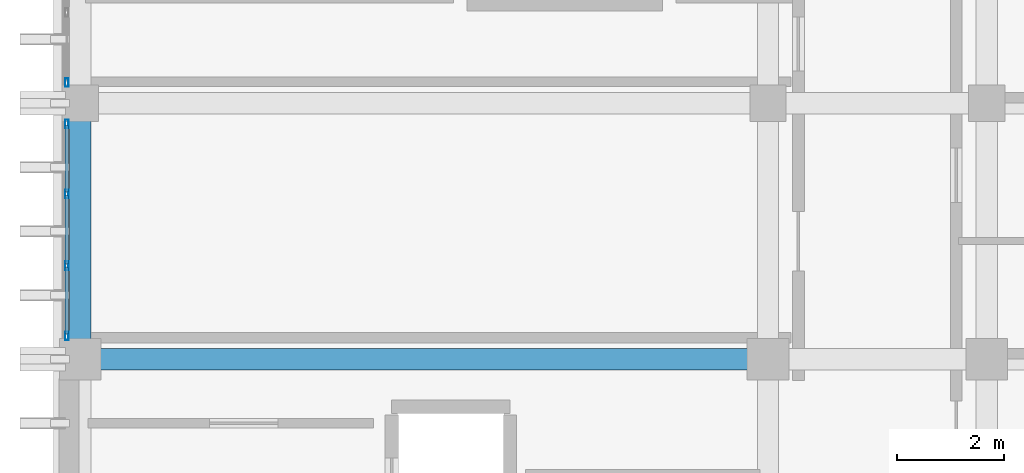
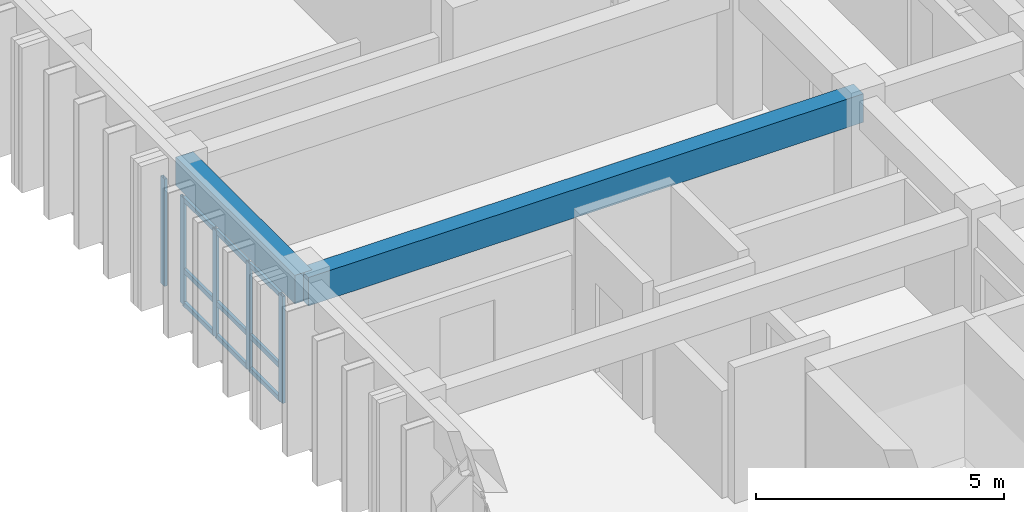
# One storey, part 36 of 68: 14 members, 2 beams, 2 elements without a shape of their own.
"""IFC4 building model written with IfcOpenShell, lengths in metres."""

import ifcopenshell
import ifcopenshell.guid

model = None  # the IFC model being written
_history = None  # IfcOwnerHistory: only IFC2X3 demands one
_inside = {}  # id of a spatial element -> (the spatial element, [elements in it])
_under = {}  # id of a project, library or spatial element -> (it, [spatial elements below it])
_declared = {}  # id of a project -> (the project, [libraries it declares])
_typed = {}  # id of a type object -> (the type object, [elements of that type])
_made_of = {}  # id of a material, layer set ... -> (it, [elements and type objects made of it])


def new_model(schema):
    """Start an empty IFC model of exactly this schema.

    Asked for "IFC4X3", IfcOpenShell would pick the latest addendum, in which some entities
    have other attributes; the version numbers below select the first issue.
    IFC2X3 requires an IfcOwnerHistory on every rooted entity: one is made here for all.
    """
    global model, _history
    if schema == "IFC4X3":
        model = ifcopenshell.file(schema_version=(4, 3, 0, 0))
    else:
        model = ifcopenshell.file(schema=schema)
    _inside.clear()
    _under.clear()
    _declared.clear()
    _typed.clear()
    _made_of.clear()
    _history = None
    if model.schema == "IFC2X3":
        org = make("IfcOrganization", Name="unknown")
        user = make(
            "IfcPersonAndOrganization",
            ThePerson=make("IfcPerson", FamilyName="unknown"),
            TheOrganization=org,
        )
        app = make(
            "IfcApplication",
            ApplicationDeveloper=org,
            Version="unknown",
            ApplicationFullName="unknown",
            ApplicationIdentifier="unknown",
        )
        _history = make(
            "IfcOwnerHistory",
            OwningUser=user,
            OwningApplication=app,
            ChangeAction="ADDED",
            CreationDate=0,
        )
    return model


def make(cls, **values):
    """One entity of the class cls with the attributes given. An attribute that is None is left unset."""
    return model.create_entity(
        cls, **{name: value for name, value in values.items() if value is not None}
    )


def rooted(cls, **values):
    """An entity with a GlobalId (a new one), such as an element, a storey or a relation."""
    return make(cls, GlobalId=ifcopenshell.guid.new(), OwnerHistory=_history, **values)


def si_unit(unit_type, name, prefix=None):
    """IfcSIUnit, for example si_unit("LENGTHUNIT", "METRE", prefix="MILLI")."""
    return make("IfcSIUnit", UnitType=unit_type, Prefix=prefix, Name=name)


def assignment(units):
    """IfcUnitAssignment: the units of a project."""
    return None if units is None else make("IfcUnitAssignment", Units=units)


def point(xyz):
    """IfcCartesianPoint."""
    return None if xyz is None else make("IfcCartesianPoint", Coordinates=xyz)


def direction(xyz):
    """IfcDirection."""
    return None if xyz is None else make("IfcDirection", DirectionRatios=xyz)


def frame(location, z_axis=None, x_axis=None):
    """IfcAxis2Placement3D, a coordinate frame: its origin and axes. An axis left out is left unset."""
    return make(
        "IfcAxis2Placement3D",
        Location=point(location),
        Axis=direction(z_axis),
        RefDirection=direction(x_axis),
    )


def frame_2d(location, x_axis=None):
    """IfcAxis2Placement2D, a coordinate frame in the plane: its origin and x axis."""
    return make(
        "IfcAxis2Placement2D", Location=point(location), RefDirection=direction(x_axis)
    )


def origin():
    """The frame at (0, 0, 0) with its axes left unset."""
    return frame((0.0, 0.0, 0.0))


def origin_2d():
    """The frame at (0, 0) in the plane with its x axis left unset."""
    return frame_2d((0.0, 0.0))


def place(relative_to, where):
    """IfcLocalPlacement: puts the frame where relative to a parent placement (None: the world)."""
    return make(
        "IfcLocalPlacement", PlacementRelTo=relative_to, RelativePlacement=where
    )


def context(
    kind, dimensions, precision=None, world=None, true_north=None, identifier=None
):
    """IfcGeometricRepresentationContext, for example the 3D "Model" context."""
    return make(
        "IfcGeometricRepresentationContext",
        ContextIdentifier=identifier,
        ContextType=kind,
        CoordinateSpaceDimension=dimensions,
        Precision=precision,
        WorldCoordinateSystem=world,
        TrueNorth=true_north,
    )


def subcontext(parent, identifier, kind, view, scale=None):
    """IfcGeometricRepresentationSubContext, for example "Body" below "Model"."""
    return make(
        "IfcGeometricRepresentationSubContext",
        ContextIdentifier=identifier,
        ContextType=kind,
        ParentContext=parent,
        TargetScale=scale,
        TargetView=view,
    )


def project(units=None, contexts=None):
    """IfcProject with its units and contexts."""
    return rooted(
        "IfcProject",
        Name="project",
        RepresentationContexts=contexts,
        UnitsInContext=assignment(units),
    )


def spatial(cls, under=None, at=None, **own):
    """A site, building, storey or space (cls), placed at a placement, below another one or the project."""
    s = rooted(cls, ObjectPlacement=at, **own)
    if under is not None:
        _under.setdefault(under.id(), (under, []))[1].append(s)
    return s


def profile(cls, at=None, kind="AREA", **sizes):
    """A parametric profile (cls). Its sizes go by their IFC names, for example OverallWidth=200.0."""
    return make(cls, ProfileType=kind, Position=at, **sizes)


def rectangle(**sizes):
    """IfcRectangleProfileDef."""
    return profile("IfcRectangleProfileDef", **sizes)


def hollow_rectangle(**sizes):
    """IfcRectangleHollowProfileDef."""
    return profile("IfcRectangleHollowProfileDef", **sizes)


def extrude(swept, where, along, depth):
    """IfcExtrudedAreaSolid: the profile swept, set in the frame where, extruded along a direction by depth."""
    return make(
        "IfcExtrudedAreaSolid",
        SweptArea=swept,
        Position=where,
        ExtrudedDirection=direction(along),
        Depth=depth,
    )


def shape(context_of_items, identifier, shape_type, items):
    """IfcShapeRepresentation: the items that make up one representation, for example the "Body"."""
    return make(
        "IfcShapeRepresentation",
        ContextOfItems=context_of_items,
        RepresentationIdentifier=identifier,
        RepresentationType=shape_type,
        Items=items,
    )


def material(Name=None, Category=None):
    """IfcMaterial."""
    return make("IfcMaterial", Name=Name, Category=Category)


def layer(
    of_material, thickness, ventilated=None, Name=None, Category=None, Priority=None
):
    """IfcMaterialLayer: one layer of a wall or slab, of a material (None: an air gap)."""
    return make(
        "IfcMaterialLayer",
        Material=of_material,
        LayerThickness=thickness,
        IsVentilated=ventilated,
        Name=Name,
        Category=Category,
        Priority=Priority,
    )


def layer_set(layers, Name=None):
    """IfcMaterialLayerSet."""
    return make("IfcMaterialLayerSet", MaterialLayers=layers, LayerSetName=Name)


def material_profile(
    of_material, cross_section, Name=None, Category=None, Priority=None
):
    """IfcMaterialProfile: a cross section and its material."""
    return make(
        "IfcMaterialProfile",
        Name=Name,
        Material=of_material,
        Profile=cross_section,
        Priority=Priority,
        Category=Category,
    )


def profile_set(profiles, Name=None, composite=None):
    """IfcMaterialProfileSet."""
    return make(
        "IfcMaterialProfileSet",
        Name=Name,
        MaterialProfiles=profiles,
        CompositeProfile=composite,
    )


def made_of(thing, what):
    """Note that an element or type object is made of a material, layer set ...; save() writes the relation."""
    if what is not None:
        _made_of.setdefault(what.id(), (what, []))[1].append(thing)
    return thing


def type_object(cls, material=None, **own):
    """A type object (cls), such as IfcWallType, which elements share."""
    return made_of(rooted(cls, **own), material)


def element(
    cls,
    number,
    at=None,
    inside=None,
    cuts=None,
    type_object=None,
    material=None,
    context=None,
    identifier="Body",
    shape_type=None,
    held_by="IfcProductDefinitionShape",
    body=None,
    shapes=None,
    **own,
):
    """One element of the class cls, such as IfcWall. Its Tag is "e" and its number.

    at: its placement. inside: the storey or other place that contains it. cuts: it is an
    opening in that element (IfcRelVoidsElement). A single representation is given by context,
    identifier, shape_type and body (its items); several are given by shapes. held_by: the class
    of the entity that holds the representations. save() writes the other relations.
    """
    e = rooted(cls, Tag="e%d" % number, ObjectPlacement=at, **own)
    if body is not None:
        shapes = [shape(context, identifier, shape_type, body)]
    if shapes is not None:
        e.Representation = make(held_by, Representations=shapes)
    if inside is not None:
        _inside.setdefault(inside.id(), (inside, []))[1].append(e)
    if cuts is not None:
        rooted(
            "IfcRelVoidsElement", RelatingBuildingElement=cuts, RelatedOpeningElement=e
        )
    if type_object is not None:
        _typed.setdefault(type_object.id(), (type_object, []))[1].append(e)
    return made_of(e, material)


def aggregate(whole, parts):
    """IfcRelAggregates: a whole, such as a stair, and the parts it consists of."""
    return rooted("IfcRelAggregates", RelatingObject=whole, RelatedObjects=parts)


def save(model, path):
    """Write the relations noted so far, then the file.

    IfcRelAggregates (storeys below a building ...), IfcRelContainedInSpatialStructure (elements
    in a storey), IfcRelDefinesByType, IfcRelAssociatesMaterial and IfcRelDeclares: one each for
    every whole, place, type object, material and project.
    """
    for whole, parts in _under.values():
        aggregate(whole, parts)
    for where, things in _inside.values():
        rooted(
            "IfcRelContainedInSpatialStructure",
            RelatedElements=things,
            RelatingStructure=where,
        )
    for kind, things in _typed.values():
        rooted("IfcRelDefinesByType", RelatedObjects=things, RelatingType=kind)
    for what, things in _made_of.values():
        rooted("IfcRelAssociatesMaterial", RelatedObjects=things, RelatingMaterial=what)
    for by, libraries in _declared.values():
        rooted("IfcRelDeclares", RelatingContext=by, RelatedDefinitions=libraries)
    model.write(path)


model = new_model("IFC4")

# Units and contexts
model_context = context("Model", 3, precision=1e-05, world=origin(), true_north=direction((0.0, 1.0)))
body_context = subcontext(model_context, "Body", "Model", "MODEL_VIEW")
ifc_project = project(units=[si_unit("LENGTHUNIT", "METRE"), si_unit("AREAUNIT", "SQUARE_METRE"), si_unit("VOLUMEUNIT", "CUBIC_METRE"), si_unit("PLANEANGLEUNIT", "RADIAN"), si_unit("MASSUNIT", "GRAM", prefix="KILO")], contexts=[model_context])

# Site, building, storey
site_placement = place(None, origin())
site = spatial("IfcSite", under=ifc_project, at=site_placement, CompositionType="ELEMENT")
building_placement = place(site_placement, origin())
building = spatial("IfcBuilding", under=site, at=building_placement, Name="Nakhvara Creek Congress Hotel", CompositionType="ELEMENT")
storey_placement = place(building_placement, frame((0.0, 0.0, 24.60009765625)))
storey = spatial("IfcBuildingStorey", under=building, at=storey_placement, Name="L05", CompositionType="ELEMENT", Elevation=24.60009765625)

# Beams
ifc_material_1 = material(Name="Concrete C40/50", Category="concrete")
ifc_material_profile_1 = material_profile(ifc_material_1, rectangle(XDim=0.39990234375, YDim=0.699951171875, at=origin_2d()), Name="RC-BM 400x700", Category="LoadBearing")
ifc_profile_set_1 = profile_set([ifc_material_profile_1], Name="Concrete C40/50")
beam_type = type_object("IfcBeamType", Name="BM-RC-400X700", PredefinedType="BEAM", material=ifc_profile_set_1)
beam_1_placement = place(storey_placement, frame((149.449951171875, 96.0, 2.989990234375), z_axis=(1.0, 0.0, 0.0), x_axis=(0.0, 1.0, 0.0)))
element("IfcBeam", 1, at=beam_1_placement, inside=storey, type_object=beam_type, Name="Beam B05-L05-2077", PredefinedType="BEAM", context=body_context, shape_type="SweptSolid", body=[
    extrude(rectangle(XDim=0.39990234375, YDim=0.699951171875, at=origin_2d()), origin(), (0.0, 0.0, 1.0), 12.900146484375),
])
beam_2_placement = place(storey_placement, frame((149.449951171875, 96.0, 2.989990234375), z_axis=(0.0, 1.0, 0.0), x_axis=(-1.0, 0.0, 0.0)))
element("IfcBeam", 2, at=beam_2_placement, inside=storey, type_object=beam_type, Name="Beam B05-L05-2079", PredefinedType="BEAM", context=body_context, shape_type="SweptSolid", body=[
    extrude(rectangle(XDim=0.39990234375, YDim=0.699951171875, at=origin_2d()), origin(), (0.0, 0.0, 1.0), 4.800048828125),
])

# Curtain wall, members
ifc_material_2 = material(Name="Bronze-anodised aluminium AW-6063-T6 and double-silver low-E glass", Category="aluminium")
ifc_layer = layer(ifc_material_2, 0.199951171875)
ifc_layer_set = layer_set([ifc_layer], Name="Bronze-anodised aluminium AW-6063-T6 and double-silver low-E glass")
curtain_wall_type = type_object("IfcCurtainWallType", Name="CW-HTL-UNIT", PredefinedType="USERDEFINED", material=ifc_layer_set)
curtain_wall_1_placement = place(storey_placement, origin())
curtain_wall_1 = element("IfcCurtainWall", 3, at=curtain_wall_1_placement, inside=storey, type_object=curtain_wall_type, Name="Curtain Wall CW221", ObjectType="UNITISED", PredefinedType="USERDEFINED")
ifc_material_3 = material(Name="Bronze-anodised aluminium AW-6063-T6", Category="aluminium")
ifc_material_profile_2 = material_profile(ifc_material_3, hollow_rectangle(XDim=0.06494140625, YDim=0.159912109375, WallThickness=0.00390625, at=origin_2d()), Name="ALU-MULL 65x160x4", Category="LoadBearing")
ifc_profile_set_2 = profile_set([ifc_material_profile_2], Name="Bronze-anodised aluminium AW-6063-T6")
member_type_1 = type_object("IfcMemberType", Name="CW-MULL-160", PredefinedType="MULLION", material=ifc_profile_set_2)
member_1_placement = place(storey_placement, frame((149.199951171875, 96.4375, 0.0), z_axis=(0.0, 0.0, 1.0), x_axis=(-1.0, 0.0, 0.0)))
member_1 = element("IfcMember", 4, at=member_1_placement, type_object=member_type_1, Name="CW221 mullion 1", PredefinedType="MULLION", context=body_context, shape_type="SweptSolid", body=[
    extrude(hollow_rectangle(XDim=0.06494140625, YDim=0.159912109375, WallThickness=0.00390625, at=origin_2d()), origin(), (0.0, 0.0, 1.0), 2.6318359375),
])
member_2_placement = place(storey_placement, frame((149.199951171875, 97.751708984375, 0.0), z_axis=(0.0, 0.0, 1.0), x_axis=(-1.0, 0.0, 0.0)))
member_2 = element("IfcMember", 5, at=member_2_placement, type_object=member_type_1, Name="CW221 mullion 2", PredefinedType="MULLION", context=body_context, shape_type="SweptSolid", body=[
    extrude(hollow_rectangle(XDim=0.06494140625, YDim=0.159912109375, WallThickness=0.00390625, at=origin_2d()), origin(), (0.0, 0.0, 1.0), 2.6318359375),
])
member_3_placement = place(storey_placement, frame((149.199951171875, 99.098388671875, 0.0), z_axis=(0.0, 0.0, 1.0), x_axis=(-1.0, 0.0, 0.0)))
member_3 = element("IfcMember", 6, at=member_3_placement, type_object=member_type_1, Name="CW221 mullion 3", PredefinedType="MULLION", context=body_context, shape_type="SweptSolid", body=[
    extrude(hollow_rectangle(XDim=0.06494140625, YDim=0.159912109375, WallThickness=0.00390625, at=origin_2d()), origin(), (0.0, 0.0, 1.0), 2.6318359375),
])
member_4_placement = place(storey_placement, frame((149.199951171875, 100.41259765625, 0.0), z_axis=(0.0, 0.0, 1.0), x_axis=(-1.0, 0.0, 0.0)))
member_4 = element("IfcMember", 7, at=member_4_placement, type_object=member_type_1, Name="CW221 mullion 4", PredefinedType="MULLION", context=body_context, shape_type="SweptSolid", body=[
    extrude(hollow_rectangle(XDim=0.06494140625, YDim=0.159912109375, WallThickness=0.00390625, at=origin_2d()), origin(), (0.0, 0.0, 1.0), 2.6318359375),
])

# Curtain wall, member
curtain_wall_2_placement = place(storey_placement, origin())
curtain_wall_2 = element("IfcCurtainWall", 8, at=curtain_wall_2_placement, inside=storey, type_object=curtain_wall_type, Name="Curtain Wall CW223", ObjectType="UNITISED", PredefinedType="USERDEFINED")
member_5_placement = place(storey_placement, frame((149.199951171875, 101.1875, 0.0), z_axis=(0.0, 0.0, 1.0), x_axis=(-1.0, 0.0, 0.0)))
member_5 = element("IfcMember", 9, at=member_5_placement, type_object=member_type_1, Name="CW223 mullion 1", PredefinedType="MULLION", context=body_context, shape_type="SweptSolid", body=[
    extrude(hollow_rectangle(XDim=0.06494140625, YDim=0.159912109375, WallThickness=0.00390625, at=origin_2d()), origin(), (0.0, 0.0, 1.0), 2.6318359375),
])
aggregate(curtain_wall_2, [member_5])

# Member
ifc_material_profile_3 = material_profile(ifc_material_3, hollow_rectangle(XDim=0.06494140625, YDim=0.1201171875, WallThickness=0.00390625, at=origin_2d()), Name="ALU-TRAN 65x120x4", Category="LoadBearing")
ifc_profile_set_3 = profile_set([ifc_material_profile_3], Name="Bronze-anodised aluminium AW-6063-T6")
member_type_2 = type_object("IfcMemberType", Name="CW-TRAN-120", PredefinedType="USERDEFINED", material=ifc_profile_set_3)
member_6_placement = place(storey_placement, frame((149.199951171875, 96.469970703125, 0.032470703125), z_axis=(0.0, 1.0, 0.0), x_axis=(-1.0, 0.0, 0.0)))
member_6 = element("IfcMember", 10, at=member_6_placement, type_object=member_type_2, Name="CW221 transom 1.1", ObjectType="TRANSOM", PredefinedType="USERDEFINED", context=body_context, shape_type="SweptSolid", body=[
    extrude(hollow_rectangle(XDim=0.06494140625, YDim=0.1201171875, WallThickness=0.00390625, at=origin_2d()), origin(), (0.0, 0.0, 1.0), 1.249267578125),
])

member_7_placement = place(storey_placement, frame((149.199951171875, 96.469970703125, 0.849853515625), z_axis=(0.0, 1.0, 0.0), x_axis=(-1.0, 0.0, 0.0)))
member_7 = element("IfcMember", 11, at=member_7_placement, type_object=member_type_2, Name="CW221 transom 1.2", ObjectType="TRANSOM", PredefinedType="USERDEFINED", context=body_context, shape_type="SweptSolid", body=[
    extrude(hollow_rectangle(XDim=0.06494140625, YDim=0.1201171875, WallThickness=0.00390625, at=origin_2d()), origin(), (0.0, 0.0, 1.0), 1.249267578125),
])

member_8_placement = place(storey_placement, frame((149.199951171875, 96.469970703125, 2.599365234375), z_axis=(0.0, 1.0, 0.0), x_axis=(-1.0, 0.0, 0.0)))
member_8 = element("IfcMember", 12, at=member_8_placement, type_object=member_type_2, Name="CW221 transom 1.3", ObjectType="TRANSOM", PredefinedType="USERDEFINED", context=body_context, shape_type="SweptSolid", body=[
    extrude(hollow_rectangle(XDim=0.06494140625, YDim=0.1201171875, WallThickness=0.00390625, at=origin_2d()), origin(), (0.0, 0.0, 1.0), 1.249267578125),
])

member_9_placement = place(storey_placement, frame((149.199951171875, 97.7841796875, 0.032470703125), z_axis=(0.0, 1.0, 0.0), x_axis=(-1.0, 0.0, 0.0)))
member_9 = element("IfcMember", 13, at=member_9_placement, type_object=member_type_2, Name="CW221 transom 2.1", ObjectType="TRANSOM", PredefinedType="USERDEFINED", context=body_context, shape_type="SweptSolid", body=[
    extrude(hollow_rectangle(XDim=0.06494140625, YDim=0.1201171875, WallThickness=0.00390625, at=origin_2d()), origin(), (0.0, 0.0, 1.0), 1.28173828125),
])

member_10_placement = place(storey_placement, frame((149.199951171875, 97.7841796875, 0.849853515625), z_axis=(0.0, 1.0, 0.0), x_axis=(-1.0, 0.0, 0.0)))
member_10 = element("IfcMember", 14, at=member_10_placement, type_object=member_type_2, Name="CW221 transom 2.2", ObjectType="TRANSOM", PredefinedType="USERDEFINED", context=body_context, shape_type="SweptSolid", body=[
    extrude(hollow_rectangle(XDim=0.06494140625, YDim=0.1201171875, WallThickness=0.00390625, at=origin_2d()), origin(), (0.0, 0.0, 1.0), 1.28173828125),
])

member_11_placement = place(storey_placement, frame((149.199951171875, 97.7841796875, 2.599365234375), z_axis=(0.0, 1.0, 0.0), x_axis=(-1.0, 0.0, 0.0)))
member_11 = element("IfcMember", 15, at=member_11_placement, type_object=member_type_2, Name="CW221 transom 2.3", ObjectType="TRANSOM", PredefinedType="USERDEFINED", context=body_context, shape_type="SweptSolid", body=[
    extrude(hollow_rectangle(XDim=0.06494140625, YDim=0.1201171875, WallThickness=0.00390625, at=origin_2d()), origin(), (0.0, 0.0, 1.0), 1.28173828125),
])

member_12_placement = place(storey_placement, frame((149.199951171875, 99.130859375, 0.032470703125), z_axis=(0.0, 1.0, 0.0), x_axis=(-1.0, 0.0, 0.0)))
member_12 = element("IfcMember", 16, at=member_12_placement, type_object=member_type_2, Name="CW221 transom 3.1", ObjectType="TRANSOM", PredefinedType="USERDEFINED", context=body_context, shape_type="SweptSolid", body=[
    extrude(hollow_rectangle(XDim=0.06494140625, YDim=0.1201171875, WallThickness=0.00390625, at=origin_2d()), origin(), (0.0, 0.0, 1.0), 1.2490234375),
])

member_13_placement = place(storey_placement, frame((149.199951171875, 99.130859375, 0.849853515625), z_axis=(0.0, 1.0, 0.0), x_axis=(-1.0, 0.0, 0.0)))
member_13 = element("IfcMember", 17, at=member_13_placement, type_object=member_type_2, Name="CW221 transom 3.2", ObjectType="TRANSOM", PredefinedType="USERDEFINED", context=body_context, shape_type="SweptSolid", body=[
    extrude(hollow_rectangle(XDim=0.06494140625, YDim=0.1201171875, WallThickness=0.00390625, at=origin_2d()), origin(), (0.0, 0.0, 1.0), 1.2490234375),
])

member_14_placement = place(storey_placement, frame((149.199951171875, 99.130859375, 2.599365234375), z_axis=(0.0, 1.0, 0.0), x_axis=(-1.0, 0.0, 0.0)))
member_14 = element("IfcMember", 18, at=member_14_placement, type_object=member_type_2, Name="CW221 transom 3.3", ObjectType="TRANSOM", PredefinedType="USERDEFINED", context=body_context, shape_type="SweptSolid", body=[
    extrude(hollow_rectangle(XDim=0.06494140625, YDim=0.1201171875, WallThickness=0.00390625, at=origin_2d()), origin(), (0.0, 0.0, 1.0), 1.2490234375),
])

aggregate(curtain_wall_1, [member_1, member_2, member_3, member_4, member_6, member_7, member_8, member_9, member_10, member_11, member_12, member_13, member_14])

save(model, "model.ifc")
